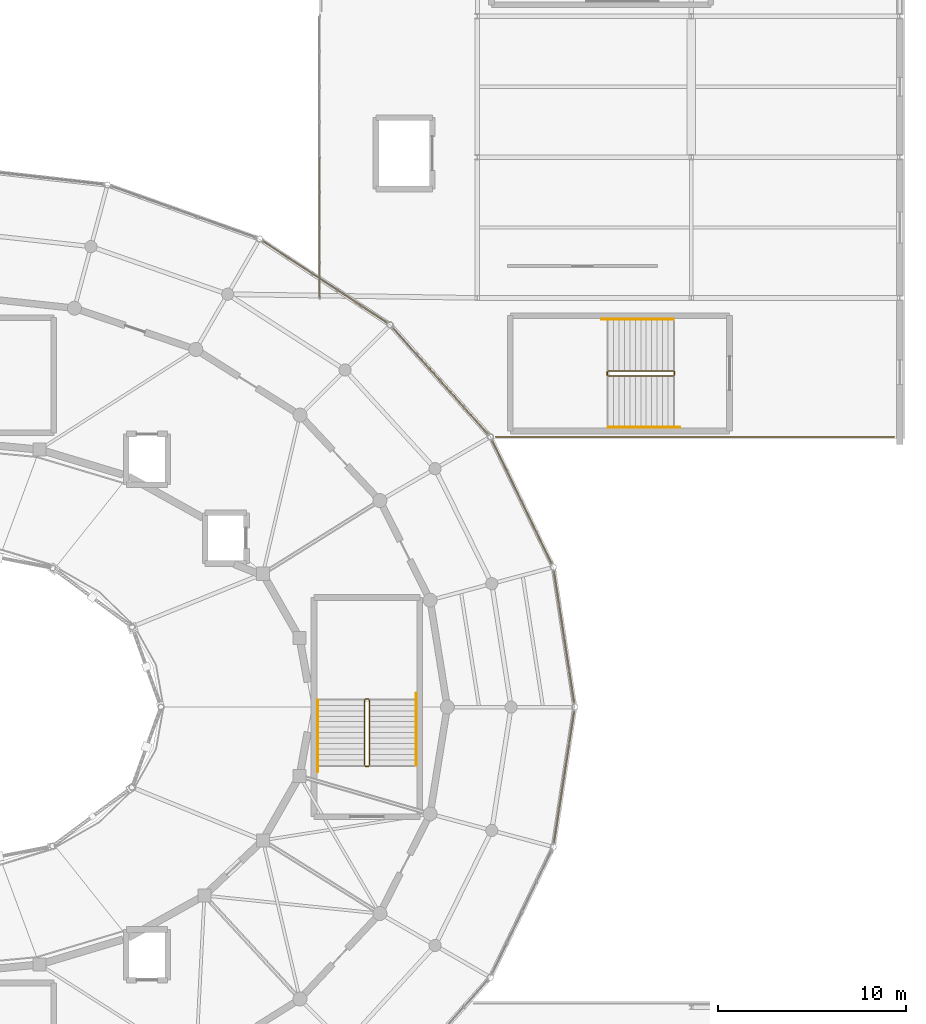
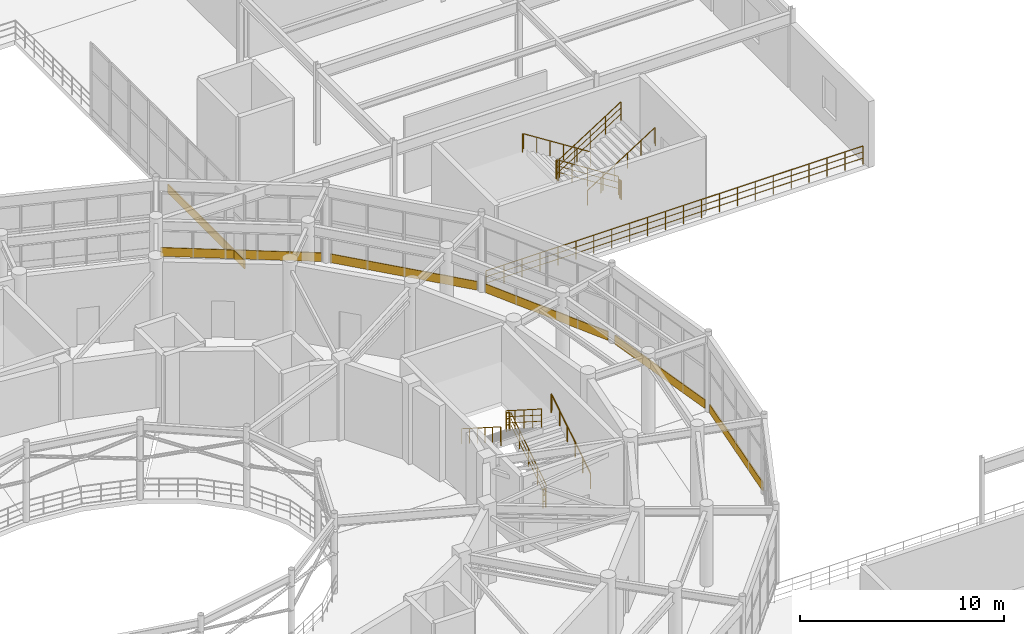
# One storey, part 143 of 144: 13 railings, 6 coverings.
"""IFC4 building model written with IfcOpenShell, lengths in metres."""

from ifc_helpers import new_model, si_unit, direction, frame, origin, origin_2d, place, context, subcontext, project, spatial, rectangle, circle, extrude, material, layer, layer_set, type_object, element, save


model = new_model("IFC4")

# Units and contexts
model_context = context("Model", 3, precision=1e-05, world=origin(), true_north=direction((0.0, 1.0)))
body_context = subcontext(model_context, "Body", "Model", "MODEL_VIEW")
ifc_project = project(units=[si_unit("LENGTHUNIT", "METRE"), si_unit("AREAUNIT", "SQUARE_METRE"), si_unit("VOLUMEUNIT", "CUBIC_METRE"), si_unit("PLANEANGLEUNIT", "RADIAN"), si_unit("MASSUNIT", "GRAM", prefix="KILO")], contexts=[model_context])

# Site, building, storey
site_placement = place(None, origin())
site = spatial("IfcSite", under=ifc_project, at=site_placement, CompositionType="ELEMENT")
building_placement = place(site_placement, origin())
building = spatial("IfcBuilding", under=site, at=building_placement, Name="Cinderbank Siding Concert Hall", CompositionType="ELEMENT")
storey_placement = place(building_placement, frame((0.0, 0.0, 5.39990234375)))
storey = spatial("IfcBuildingStorey", under=building, at=storey_placement, Name="L02", CompositionType="ELEMENT", Elevation=5.39990234375)

# Coverings
ifc_material_1 = material(Name="Spotted gum glulam timber GL18 (42 MPa)", Category="wood")
ifc_layer = layer(ifc_material_1, 0.06494140625)
ifc_layer_set = layer_set([ifc_layer], Name="Spotted gum glulam timber GL18 (42 MPa)")
covering_type = type_object("IfcCoveringType", Name="CL-01 Spotted Gum Spandrel Band 520mm", PredefinedType="CLADDING", material=ifc_layer_set)
covering_1_placement = place(storey_placement, frame((155.027587890625, 47.72705078125, 0.0), z_axis=(0.0, 0.0, 1.0), x_axis=(-0.151815048473, 0.988408918949, 0.0)))
element("IfcCovering", 1, at=covering_1_placement, inside=storey, type_object=covering_type, Name="CW-L02-001 Spotted Gum Spandrel Band", PredefinedType="CLADDING", context=body_context, shape_type="SweptSolid", body=[
    extrude(rectangle(XDim=7.08740234375, YDim=0.06494140625, at=origin_2d()), origin(), (0.0, 0.0, 1.0), 0.52001953125),
])
covering_2_placement = place(storey_placement, frame((152.77685546875, 54.927001953125, 0.0), z_axis=(0.0, 0.0, 1.0), x_axis=(-0.435102109714, 0.900381116041, 0.0)))
element("IfcCovering", 2, at=covering_2_placement, inside=storey, type_object=covering_type, Name="CW-L02-002 Spotted Gum Spandrel Band", PredefinedType="CLADDING", context=body_context, shape_type="SweptSolid", body=[
    extrude(rectangle(XDim=7.260498046875, YDim=0.06494140625, at=origin_2d()), origin(), (0.0, 0.0, 1.0), 0.52001953125),
])
covering_3_placement = place(storey_placement, frame((148.4287109375, 61.38232421875, 0.0), z_axis=(0.0, 0.0, 1.0), x_axis=(-0.666993465338, 0.745063565877, 0.0)))
element("IfcCovering", 3, at=covering_3_placement, inside=storey, type_object=covering_type, Name="CW-L02-003 Spotted Gum Spandrel Band", PredefinedType="CLADDING", context=body_context, shape_type="SweptSolid", body=[
    extrude(rectangle(XDim=7.5517578125, YDim=0.06494140625, at=origin_2d()), origin(), (0.0, 0.0, 1.0), 0.52001953125),
])
covering_4_placement = place(storey_placement, frame((142.279296875, 66.653076171875, 0.0), z_axis=(0.0, 0.0, 1.0), x_axis=(-0.835491932304, 0.549502712509, 0.0)))
element("IfcCovering", 4, at=covering_4_placement, inside=storey, type_object=covering_type, Name="CW-L02-004 Spotted Gum Spandrel Band", PredefinedType="CLADDING", context=body_context, shape_type="SweptSolid", body=[
    extrude(rectangle(XDim=7.875, YDim=0.06494140625, at=origin_2d()), origin(), (0.0, 0.0, 1.0), 0.52001953125),
])
covering_5_placement = place(storey_placement, frame((155.027587890625, 40.27294921875, 0.0), z_axis=(0.0, 0.0, 1.0), x_axis=(0.151815048473, 0.988408918949, 0.0)))
element("IfcCovering", 5, at=covering_5_placement, inside=storey, type_object=covering_type, Name="CW-L02-024 Spotted Gum Spandrel Band", PredefinedType="CLADDING", context=body_context, shape_type="SweptSolid", body=[
    extrude(rectangle(XDim=7.08740234375, YDim=0.06494140625, at=origin_2d()), origin(), (0.0, 0.0, 1.0), 0.52001953125),
])
covering_6_placement = place(storey_placement, frame((142.0, 69.550048828125, 0.0), z_axis=(0.0, 0.0, 1.0), x_axis=(0.0, 1.0, 0.0)))
element("IfcCovering", 6, at=covering_6_placement, inside=storey, type_object=covering_type, Name="CW-L02-146 Spotted Gum Spandrel Band", PredefinedType="CLADDING", context=body_context, shape_type="SweptSolid", body=[
    extrude(rectangle(XDim=7.5, YDim=0.06494140625, at=origin_2d()), origin(), (0.0, 0.0, 1.0), 0.52001953125),
])

# Railings
ifc_material_2 = material(Name="Structural steel AS/NZS 3679.1 Grade 350 (340 MPa)", Category="steel")
railing_type_1 = type_object("IfcRailingType", Name="GD-01 Terrace & Perimeter Guardrail 1120mm", PredefinedType="GUARDRAIL", material=ifc_material_2)
railing_1_placement = place(storey_placement, frame((172.639892578125, 58.39990234375, 0.0)))
element("IfcRailing", 7, at=railing_1_placement, inside=storey, type_object=railing_type_1, Name="L02 Perimeter Guardrail #39", PredefinedType="GUARDRAIL", context=body_context, shape_type="SweptSolid", body=[
    extrude(circle(Radius=0.02392578125, at=origin_2d()), frame((0.0, 0.0, 1.09619140625), z_axis=(-1.0, 0.0, 0.0), x_axis=(0.0, -1.0, 0.0)), (0.0, 0.0, 1.0), 21.282470703125),
    extrude(circle(Radius=0.01611328125, at=origin_2d()), frame((0.0, 0.0, 0.36962890625), z_axis=(-1.0, 0.0, 0.0), x_axis=(0.0, -1.0, 0.0)), (0.0, 0.0, 1.0), 21.282470703125),
    extrude(circle(Radius=0.01611328125, at=origin_2d()), frame((0.0, 0.0, 0.7392578125), z_axis=(-1.0, 0.0, 0.0), x_axis=(0.0, -1.0, 0.0)), (0.0, 0.0, 1.0), 21.282470703125),
    extrude(circle(Radius=0.02099609375, at=origin_2d()), origin(), (0.0, 0.0, 1.0), 1.072021484375),
    extrude(circle(Radius=0.02099609375, at=origin_2d()), frame((-1.013427734375, 0.0, 0.0)), (0.0, 0.0, 1.0), 1.072021484375),
    extrude(circle(Radius=0.02099609375, at=origin_2d()), frame((-2.02685546875, 0.0, 0.0)), (0.0, 0.0, 1.0), 1.072021484375),
    extrude(circle(Radius=0.02099609375, at=origin_2d()), frame((-3.040283203125, 0.0, 0.0)), (0.0, 0.0, 1.0), 1.072021484375),
    extrude(circle(Radius=0.02099609375, at=origin_2d()), frame((-4.0537109375, 0.0, 0.0)), (0.0, 0.0, 1.0), 1.072021484375),
    extrude(circle(Radius=0.02099609375, at=origin_2d()), frame((-5.067138671875, 0.0, 0.0)), (0.0, 0.0, 1.0), 1.072021484375),
    extrude(circle(Radius=0.02099609375, at=origin_2d()), frame((-6.080810546875, 0.0, 0.0)), (0.0, 0.0, 1.0), 1.072021484375),
    extrude(circle(Radius=0.02099609375, at=origin_2d()), frame((-7.09423828125, 0.0, 0.0)), (0.0, 0.0, 1.0), 1.072021484375),
    extrude(circle(Radius=0.02099609375, at=origin_2d()), frame((-8.107666015625, 0.0, 0.0)), (0.0, 0.0, 1.0), 1.072021484375),
    extrude(circle(Radius=0.02099609375, at=origin_2d()), frame((-9.12109375, 0.0, 0.0)), (0.0, 0.0, 1.0), 1.072021484375),
    extrude(circle(Radius=0.02099609375, at=origin_2d()), frame((-10.134521484375, 0.0, 0.0)), (0.0, 0.0, 1.0), 1.072021484375),
    extrude(circle(Radius=0.02099609375, at=origin_2d()), frame((-11.14794921875, 0.0, 0.0)), (0.0, 0.0, 1.0), 1.072021484375),
    extrude(circle(Radius=0.02099609375, at=origin_2d()), frame((-12.161376953125, 0.0, 0.0)), (0.0, 0.0, 1.0), 1.072021484375),
    extrude(circle(Radius=0.02099609375, at=origin_2d()), frame((-13.1748046875, 0.0, 0.0)), (0.0, 0.0, 1.0), 1.072021484375),
    extrude(circle(Radius=0.02099609375, at=origin_2d()), frame((-14.188232421875, 0.0, 0.0)), (0.0, 0.0, 1.0), 1.072021484375),
    extrude(circle(Radius=0.02099609375, at=origin_2d()), frame((-15.20166015625, 0.0, 0.0)), (0.0, 0.0, 1.0), 1.072021484375),
    extrude(circle(Radius=0.02099609375, at=origin_2d()), frame((-16.21533203125, 0.0, 0.0)), (0.0, 0.0, 1.0), 1.072021484375),
    extrude(circle(Radius=0.02099609375, at=origin_2d()), frame((-17.228759765625, 0.0, 0.0)), (0.0, 0.0, 1.0), 1.072021484375),
    extrude(circle(Radius=0.02099609375, at=origin_2d()), frame((-18.2421875, 0.0, 0.0)), (0.0, 0.0, 1.0), 1.072021484375),
    extrude(circle(Radius=0.02099609375, at=origin_2d()), frame((-19.255615234375, 0.0, 0.0)), (0.0, 0.0, 1.0), 1.072021484375),
    extrude(circle(Radius=0.02099609375, at=origin_2d()), frame((-20.26904296875, 0.0, 0.0)), (0.0, 0.0, 1.0), 1.072021484375),
    extrude(circle(Radius=0.02099609375, at=origin_2d()), frame((-21.282470703125, 0.0, 0.0)), (0.0, 0.0, 1.0), 1.072021484375),
])
railing_type_2 = type_object("IfcRailingType", Name="STG-01 Stair Well Guardrail 1120mm", PredefinedType="GUARDRAIL", material=ifc_material_2)
railing_2_placement = place(storey_placement, frame((144.64990234375, 40.89990234375, 0.184814453125)))
element("IfcRailing", 8, at=railing_2_placement, inside=storey, type_object=railing_type_2, Name="L02 ST-03 stair guard 1", PredefinedType="GUARDRAIL", context=body_context, shape_type="SweptSolid", body=[
    extrude(circle(Radius=0.02392578125, at=origin_2d()), frame((0.0, 0.0, 1.09619140625), z_axis=(0.0, 0.843573748531, 0.537013343214), x_axis=(-1.0, 0.0, 0.0)), (0.0, 0.0, 1.0), 4.125244140625),
    extrude(circle(Radius=0.01611328125, at=origin_2d()), frame((0.0, 0.0, 0.36962890625), z_axis=(0.0, 0.843573748531, 0.537013343214), x_axis=(-1.0, 0.0, 0.0)), (0.0, 0.0, 1.0), 4.125244140625),
    extrude(circle(Radius=0.01611328125, at=origin_2d()), frame((0.0, 0.0, 0.7392578125), z_axis=(0.0, 0.843573748531, 0.537013343214), x_axis=(-1.0, 0.0, 0.0)), (0.0, 0.0, 1.0), 4.125244140625),
    extrude(circle(Radius=0.02099609375, at=origin_2d()), origin(), (0.0, 0.0, 1.0), 1.072021484375),
    extrude(circle(Radius=0.02099609375, at=origin_2d()), frame((0.0, 0.8701171875, 0.5537109375)), (0.0, 0.0, 1.0), 1.072021484375),
    extrude(circle(Radius=0.02099609375, at=origin_2d()), frame((0.0, 1.739990234375, 1.107666015625)), (0.0, 0.0, 1.0), 1.072021484375),
    extrude(circle(Radius=0.02099609375, at=origin_2d()), frame((0.0, 2.60986328125, 1.66162109375)), (0.0, 0.0, 1.0), 1.072021484375),
    extrude(circle(Radius=0.02099609375, at=origin_2d()), frame((0.0, 3.47998046875, 2.21533203125)), (0.0, 0.0, 1.0), 1.072021484375),
])
railing_3_placement = place(storey_placement, frame((144.60009765625, 44.429931640625, 2.400146484375)))
element("IfcRailing", 9, at=railing_3_placement, inside=storey, type_object=railing_type_2, Name="L02 ST-03 stair guard 2", PredefinedType="GUARDRAIL", context=body_context, shape_type="SweptSolid", body=[
    extrude(circle(Radius=0.02392578125, at=origin_2d()), frame((0.0, 0.0, 1.09619140625), z_axis=(-1.0, 0.0, 0.0), x_axis=(0.0, -1.0, 0.0)), (0.0, 0.0, 1.0), 0.16015625),
    extrude(circle(Radius=0.01611328125, at=origin_2d()), frame((0.0, 0.0, 0.36962890625), z_axis=(-1.0, 0.0, 0.0), x_axis=(0.0, -1.0, 0.0)), (0.0, 0.0, 1.0), 0.16015625),
    extrude(circle(Radius=0.01611328125, at=origin_2d()), frame((0.0, 0.0, 0.7392578125), z_axis=(-1.0, 0.0, 0.0), x_axis=(0.0, -1.0, 0.0)), (0.0, 0.0, 1.0), 0.16015625),
    extrude(circle(Radius=0.02099609375, at=origin_2d()), origin(), (0.0, 0.0, 1.0), 1.072021484375),
    extrude(circle(Radius=0.02099609375, at=origin_2d()), frame((-0.16015625, 0.0, 0.0)), (0.0, 0.0, 1.0), 1.072021484375),
])
railing_4_placement = place(storey_placement, frame((144.389892578125, 44.3798828125, 2.584716796875)))
element("IfcRailing", 10, at=railing_4_placement, inside=storey, type_object=railing_type_2, Name="L02 ST-03 stair guard 3", PredefinedType="GUARDRAIL", context=body_context, shape_type="SweptSolid", body=[
    extrude(circle(Radius=0.02392578125, at=origin_2d()), frame((0.0, 0.0, 1.09619140625), z_axis=(0.0, -0.843573748531, 0.537013343214), x_axis=(1.0, 0.0, 0.0)), (0.0, 0.0, 1.0), 4.125244140625),
    extrude(circle(Radius=0.01611328125, at=origin_2d()), frame((0.0, 0.0, 0.36962890625), z_axis=(0.0, -0.843573748531, 0.537013343214), x_axis=(1.0, 0.0, 0.0)), (0.0, 0.0, 1.0), 4.125244140625),
    extrude(circle(Radius=0.01611328125, at=origin_2d()), frame((0.0, 0.0, 0.7392578125), z_axis=(0.0, -0.843573748531, 0.537013343214), x_axis=(1.0, 0.0, 0.0)), (0.0, 0.0, 1.0), 4.125244140625),
    extrude(circle(Radius=0.02099609375, at=origin_2d()), origin(), (0.0, 0.0, 1.0), 1.072021484375),
    extrude(circle(Radius=0.02099609375, at=origin_2d()), frame((0.0, -0.8701171875, 0.5537109375)), (0.0, 0.0, 1.0), 1.072021484375),
    extrude(circle(Radius=0.02099609375, at=origin_2d()), frame((0.0, -1.739990234375, 1.107666015625)), (0.0, 0.0, 1.0), 1.072021484375),
    extrude(circle(Radius=0.02099609375, at=origin_2d()), frame((0.0, -2.60986328125, 1.66162109375)), (0.0, 0.0, 1.0), 1.072021484375),
    extrude(circle(Radius=0.02099609375, at=origin_2d()), frame((0.0, -3.47998046875, 2.21533203125)), (0.0, 0.0, 1.0), 1.072021484375),
])
railing_5_placement = place(storey_placement, frame((144.60009765625, 40.85009765625, 0.0)))
element("IfcRailing", 11, at=railing_5_placement, inside=storey, type_object=railing_type_2, Name="L02 ST-03 stair guard 4", PredefinedType="GUARDRAIL", context=body_context, shape_type="SweptSolid", body=[
    extrude(circle(Radius=0.02392578125, at=origin_2d()), frame((0.0, 0.0, 1.09619140625), z_axis=(-1.0, 0.0, 0.0), x_axis=(0.0, -1.0, 0.0)), (0.0, 0.0, 1.0), 0.16015625),
    extrude(circle(Radius=0.01611328125, at=origin_2d()), frame((0.0, 0.0, 0.36962890625), z_axis=(-1.0, 0.0, 0.0), x_axis=(0.0, -1.0, 0.0)), (0.0, 0.0, 1.0), 0.16015625),
    extrude(circle(Radius=0.01611328125, at=origin_2d()), frame((0.0, 0.0, 0.7392578125), z_axis=(-1.0, 0.0, 0.0), x_axis=(0.0, -1.0, 0.0)), (0.0, 0.0, 1.0), 0.16015625),
    extrude(circle(Radius=0.02099609375, at=origin_2d()), origin(), (0.0, 0.0, 1.0), 1.072021484375),
    extrude(circle(Radius=0.02099609375, at=origin_2d()), frame((-0.16015625, 0.0, 0.0)), (0.0, 0.0, 1.0), 1.072021484375),
])
railing_6_placement = place(storey_placement, frame((160.85009765625, 61.909912109375, 0.184814453125)))
element("IfcRailing", 12, at=railing_6_placement, inside=storey, type_object=railing_type_2, Name="L02 ST-12 stair guard 1", PredefinedType="GUARDRAIL", context=body_context, shape_type="SweptSolid", body=[
    extrude(circle(Radius=0.02392578125, at=origin_2d()), frame((0.0, 0.0, 1.09619140625), z_axis=(-0.843573748531, 0.0, 0.537013343214), x_axis=(0.0, -1.0, 0.0)), (0.0, 0.0, 1.0), 4.125244140625),
    extrude(circle(Radius=0.01611328125, at=origin_2d()), frame((0.0, 0.0, 0.36962890625), z_axis=(-0.843573748531, 0.0, 0.537013343214), x_axis=(0.0, -1.0, 0.0)), (0.0, 0.0, 1.0), 4.125244140625),
    extrude(circle(Radius=0.01611328125, at=origin_2d()), frame((0.0, 0.0, 0.7392578125), z_axis=(-0.843573748531, 0.0, 0.537013343214), x_axis=(0.0, -1.0, 0.0)), (0.0, 0.0, 1.0), 4.125244140625),
    extrude(circle(Radius=0.02099609375, at=origin_2d()), origin(), (0.0, 0.0, 1.0), 1.072021484375),
    extrude(circle(Radius=0.02099609375, at=origin_2d()), frame((-0.8701171875, 0.0, 0.5537109375)), (0.0, 0.0, 1.0), 1.072021484375),
    extrude(circle(Radius=0.02099609375, at=origin_2d()), frame((-1.739990234375, 0.0, 1.107666015625)), (0.0, 0.0, 1.0), 1.072021484375),
    extrude(circle(Radius=0.02099609375, at=origin_2d()), frame((-2.60986328125, 0.0, 1.66162109375)), (0.0, 0.0, 1.0), 1.072021484375),
    extrude(circle(Radius=0.02099609375, at=origin_2d()), frame((-3.47998046875, 0.0, 2.21533203125)), (0.0, 0.0, 1.0), 1.072021484375),
])
railing_7_placement = place(storey_placement, frame((157.320068359375, 61.860107421875, 2.400146484375)))
element("IfcRailing", 13, at=railing_7_placement, inside=storey, type_object=railing_type_2, Name="L02 ST-12 stair guard 2", PredefinedType="GUARDRAIL", context=body_context, shape_type="SweptSolid", body=[
    extrude(circle(Radius=0.02392578125, at=origin_2d()), frame((0.0, 0.0, 1.09619140625), z_axis=(0.0, -1.0, 0.0), x_axis=(1.0, 0.0, 0.0)), (0.0, 0.0, 1.0), 0.16015625),
    extrude(circle(Radius=0.01611328125, at=origin_2d()), frame((0.0, 0.0, 0.36962890625), z_axis=(0.0, -1.0, 0.0), x_axis=(1.0, 0.0, 0.0)), (0.0, 0.0, 1.0), 0.16015625),
    extrude(circle(Radius=0.01611328125, at=origin_2d()), frame((0.0, 0.0, 0.7392578125), z_axis=(0.0, -1.0, 0.0), x_axis=(1.0, 0.0, 0.0)), (0.0, 0.0, 1.0), 0.16015625),
    extrude(circle(Radius=0.02099609375, at=origin_2d()), origin(), (0.0, 0.0, 1.0), 1.072021484375),
    extrude(circle(Radius=0.02099609375, at=origin_2d()), frame((0.0, -0.16015625, 0.0)), (0.0, 0.0, 1.0), 1.072021484375),
])
railing_8_placement = place(storey_placement, frame((157.3701171875, 61.64990234375, 2.584716796875)))
element("IfcRailing", 14, at=railing_8_placement, inside=storey, type_object=railing_type_2, Name="L02 ST-12 stair guard 3", PredefinedType="GUARDRAIL", context=body_context, shape_type="SweptSolid", body=[
    extrude(circle(Radius=0.02392578125, at=origin_2d()), frame((0.0, 0.0, 1.09619140625), z_axis=(0.843573748531, 0.0, 0.537013343214), x_axis=(0.0, 1.0, 0.0)), (0.0, 0.0, 1.0), 4.125244140625),
    extrude(circle(Radius=0.01611328125, at=origin_2d()), frame((0.0, 0.0, 0.36962890625), z_axis=(0.843573748531, 0.0, 0.537013343214), x_axis=(0.0, 1.0, 0.0)), (0.0, 0.0, 1.0), 4.125244140625),
    extrude(circle(Radius=0.01611328125, at=origin_2d()), frame((0.0, 0.0, 0.7392578125), z_axis=(0.843573748531, 0.0, 0.537013343214), x_axis=(0.0, 1.0, 0.0)), (0.0, 0.0, 1.0), 4.125244140625),
    extrude(circle(Radius=0.02099609375, at=origin_2d()), origin(), (0.0, 0.0, 1.0), 1.072021484375),
    extrude(circle(Radius=0.02099609375, at=origin_2d()), frame((0.8701171875, 0.0, 0.5537109375)), (0.0, 0.0, 1.0), 1.072021484375),
    extrude(circle(Radius=0.02099609375, at=origin_2d()), frame((1.739990234375, 0.0, 1.107666015625)), (0.0, 0.0, 1.0), 1.072021484375),
    extrude(circle(Radius=0.02099609375, at=origin_2d()), frame((2.60986328125, 0.0, 1.66162109375)), (0.0, 0.0, 1.0), 1.072021484375),
    extrude(circle(Radius=0.02099609375, at=origin_2d()), frame((3.47998046875, 0.0, 2.21533203125)), (0.0, 0.0, 1.0), 1.072021484375),
])
railing_9_placement = place(storey_placement, frame((160.89990234375, 61.860107421875, 0.0)))
element("IfcRailing", 15, at=railing_9_placement, inside=storey, type_object=railing_type_2, Name="L02 ST-12 stair guard 4", PredefinedType="GUARDRAIL", context=body_context, shape_type="SweptSolid", body=[
    extrude(circle(Radius=0.02392578125, at=origin_2d()), frame((0.0, 0.0, 1.09619140625), z_axis=(0.0, -1.0, 0.0), x_axis=(1.0, 0.0, 0.0)), (0.0, 0.0, 1.0), 0.16015625),
    extrude(circle(Radius=0.01611328125, at=origin_2d()), frame((0.0, 0.0, 0.36962890625), z_axis=(0.0, -1.0, 0.0), x_axis=(1.0, 0.0, 0.0)), (0.0, 0.0, 1.0), 0.16015625),
    extrude(circle(Radius=0.01611328125, at=origin_2d()), frame((0.0, 0.0, 0.7392578125), z_axis=(0.0, -1.0, 0.0), x_axis=(1.0, 0.0, 0.0)), (0.0, 0.0, 1.0), 0.16015625),
    extrude(circle(Radius=0.02099609375, at=origin_2d()), origin(), (0.0, 0.0, 1.0), 1.072021484375),
    extrude(circle(Radius=0.02099609375, at=origin_2d()), frame((0.0, -0.16015625, 0.0)), (0.0, 0.0, 1.0), 1.072021484375),
])
railing_type_3 = type_object("IfcRailingType", Name="STH-01 Stair Pitch Handrail 920mm", PredefinedType="HANDRAIL", material=ifc_material_2)
railing_10_placement = place(storey_placement, frame((147.14990234375, 40.89990234375, 0.184814453125)))
element("IfcRailing", 16, at=railing_10_placement, inside=storey, type_object=railing_type_3, Name="L02 ST-03 stair handrail 1", PredefinedType="HANDRAIL", context=body_context, shape_type="SweptSolid", body=[
    extrude(circle(Radius=0.02392578125, at=origin_2d()), frame((0.0, 0.0, 0.89599609375), z_axis=(0.0, 0.843580498726, 0.537002739443), x_axis=(-1.0, 0.0, 0.0)), (0.0, 0.0, 1.0), 4.468994140625),
    extrude(circle(Radius=0.02392578125, at=origin_2d()), frame((0.0, 3.77001953125, 3.2958984375), z_axis=(0.0, 1.0, 0.0), x_axis=(-1.0, 0.0, 0.0)), (0.0, 0.0, 1.0), 0.06005859375),
    extrude(circle(Radius=0.02099609375, at=origin_2d()), origin(), (0.0, 0.0, 1.0), 0.871826171875),
    extrude(circle(Radius=0.02099609375, at=origin_2d()), frame((0.0, 0.75390625, 0.47998046875)), (0.0, 0.0, 1.0), 0.871826171875),
    extrude(circle(Radius=0.02099609375, at=origin_2d()), frame((0.0, 1.508056640625, 0.9599609375)), (0.0, 0.0, 1.0), 0.871826171875),
    extrude(circle(Radius=0.02099609375, at=origin_2d()), frame((0.0, 2.261962890625, 1.43994140625)), (0.0, 0.0, 1.0), 0.871826171875),
    extrude(circle(Radius=0.02099609375, at=origin_2d()), frame((0.0, 3.01611328125, 1.919921875)), (0.0, 0.0, 1.0), 0.871826171875),
    extrude(circle(Radius=0.02099609375, at=origin_2d()), frame((0.0, 3.77001953125, 2.39990234375)), (0.0, 0.0, 1.0), 0.871826171875),
    extrude(circle(Radius=0.02099609375, at=origin_2d()), frame((0.0, 3.830078125, 2.21533203125)), (0.0, 0.0, 1.0), 1.056396484375),
])
railing_11_placement = place(storey_placement, frame((141.889892578125, 44.3798828125, 2.584716796875)))
element("IfcRailing", 17, at=railing_11_placement, inside=storey, type_object=railing_type_3, Name="L02 ST-03 stair handrail 2", PredefinedType="HANDRAIL", context=body_context, shape_type="SweptSolid", body=[
    extrude(circle(Radius=0.02392578125, at=origin_2d()), frame((0.0, 0.0, 0.89599609375), z_axis=(0.0, -0.843564744176, 0.537027487549), x_axis=(1.0, 0.0, 0.0)), (0.0, 0.0, 1.0), 4.46875),
    extrude(circle(Radius=0.02392578125, at=origin_2d()), frame((0.0, -3.769775390625, 3.2958984375), z_axis=(0.0, -1.0, 0.0), x_axis=(1.0, 0.0, 0.0)), (0.0, 0.0, 1.0), 0.06005859375),
    extrude(circle(Radius=0.02099609375, at=origin_2d()), origin(), (0.0, 0.0, 1.0), 0.871826171875),
    extrude(circle(Radius=0.02099609375, at=origin_2d()), frame((0.0, -0.75390625, 0.47998046875)), (0.0, 0.0, 1.0), 0.871826171875),
    extrude(circle(Radius=0.02099609375, at=origin_2d()), frame((0.0, -1.5078125, 0.9599609375)), (0.0, 0.0, 1.0), 0.871826171875),
    extrude(circle(Radius=0.02099609375, at=origin_2d()), frame((0.0, -2.261962890625, 1.43994140625)), (0.0, 0.0, 1.0), 0.871826171875),
    extrude(circle(Radius=0.02099609375, at=origin_2d()), frame((0.0, -3.015869140625, 1.919921875)), (0.0, 0.0, 1.0), 0.871826171875),
    extrude(circle(Radius=0.02099609375, at=origin_2d()), frame((0.0, -3.769775390625, 2.39990234375)), (0.0, 0.0, 1.0), 0.871826171875),
    extrude(circle(Radius=0.02099609375, at=origin_2d()), frame((0.0, -3.829833984375, 2.21533203125)), (0.0, 0.0, 1.0), 1.056396484375),
])
railing_12_placement = place(storey_placement, frame((160.85009765625, 64.659912109375, 0.184814453125)))
element("IfcRailing", 18, at=railing_12_placement, inside=storey, type_object=railing_type_3, Name="L02 ST-12 stair handrail 1", PredefinedType="HANDRAIL", context=body_context, shape_type="SweptSolid", body=[
    extrude(circle(Radius=0.02392578125, at=origin_2d()), frame((0.0, 0.0, 0.89599609375), z_axis=(-0.843580498726, 0.0, 0.537002739443), x_axis=(0.0, -1.0, 0.0)), (0.0, 0.0, 1.0), 4.468994140625),
    extrude(circle(Radius=0.02392578125, at=origin_2d()), frame((-3.77001953125, 0.0, 3.2958984375), z_axis=(-1.0, 0.0, 0.0), x_axis=(0.0, -1.0, 0.0)), (0.0, 0.0, 1.0), 0.06005859375),
    extrude(circle(Radius=0.02099609375, at=origin_2d()), origin(), (0.0, 0.0, 1.0), 0.871826171875),
    extrude(circle(Radius=0.02099609375, at=origin_2d()), frame((-0.75390625, 0.0, 0.47998046875)), (0.0, 0.0, 1.0), 0.871826171875),
    extrude(circle(Radius=0.02099609375, at=origin_2d()), frame((-1.508056640625, 0.0, 0.9599609375)), (0.0, 0.0, 1.0), 0.871826171875),
    extrude(circle(Radius=0.02099609375, at=origin_2d()), frame((-2.261962890625, 0.0, 1.43994140625)), (0.0, 0.0, 1.0), 0.871826171875),
    extrude(circle(Radius=0.02099609375, at=origin_2d()), frame((-3.01611328125, 0.0, 1.919921875)), (0.0, 0.0, 1.0), 0.871826171875),
    extrude(circle(Radius=0.02099609375, at=origin_2d()), frame((-3.77001953125, 0.0, 2.39990234375)), (0.0, 0.0, 1.0), 0.871826171875),
    extrude(circle(Radius=0.02099609375, at=origin_2d()), frame((-3.830078125, 0.0, 2.21533203125)), (0.0, 0.0, 1.0), 1.056396484375),
])
railing_13_placement = place(storey_placement, frame((157.3701171875, 58.89990234375, 2.584716796875)))
element("IfcRailing", 19, at=railing_13_placement, inside=storey, type_object=railing_type_3, Name="L02 ST-12 stair handrail 2", PredefinedType="HANDRAIL", context=body_context, shape_type="SweptSolid", body=[
    extrude(circle(Radius=0.02392578125, at=origin_2d()), frame((0.0, 0.0, 0.89599609375), z_axis=(0.843564744176, 0.0, 0.537027487549), x_axis=(0.0, 1.0, 0.0)), (0.0, 0.0, 1.0), 4.46875),
    extrude(circle(Radius=0.02392578125, at=origin_2d()), frame((3.769775390625, 0.0, 3.2958984375), z_axis=(1.0, 0.0, 0.0), x_axis=(0.0, 1.0, 0.0)), (0.0, 0.0, 1.0), 0.06005859375),
    extrude(circle(Radius=0.02099609375, at=origin_2d()), origin(), (0.0, 0.0, 1.0), 0.871826171875),
    extrude(circle(Radius=0.02099609375, at=origin_2d()), frame((0.75390625, 0.0, 0.47998046875)), (0.0, 0.0, 1.0), 0.871826171875),
    extrude(circle(Radius=0.02099609375, at=origin_2d()), frame((1.5078125, 0.0, 0.9599609375)), (0.0, 0.0, 1.0), 0.871826171875),
    extrude(circle(Radius=0.02099609375, at=origin_2d()), frame((2.261962890625, 0.0, 1.43994140625)), (0.0, 0.0, 1.0), 0.871826171875),
    extrude(circle(Radius=0.02099609375, at=origin_2d()), frame((3.015869140625, 0.0, 1.919921875)), (0.0, 0.0, 1.0), 0.871826171875),
    extrude(circle(Radius=0.02099609375, at=origin_2d()), frame((3.769775390625, 0.0, 2.39990234375)), (0.0, 0.0, 1.0), 0.871826171875),
    extrude(circle(Radius=0.02099609375, at=origin_2d()), frame((3.829833984375, 0.0, 2.21533203125)), (0.0, 0.0, 1.0), 1.056396484375),
])

save(model, "model.ifc")
